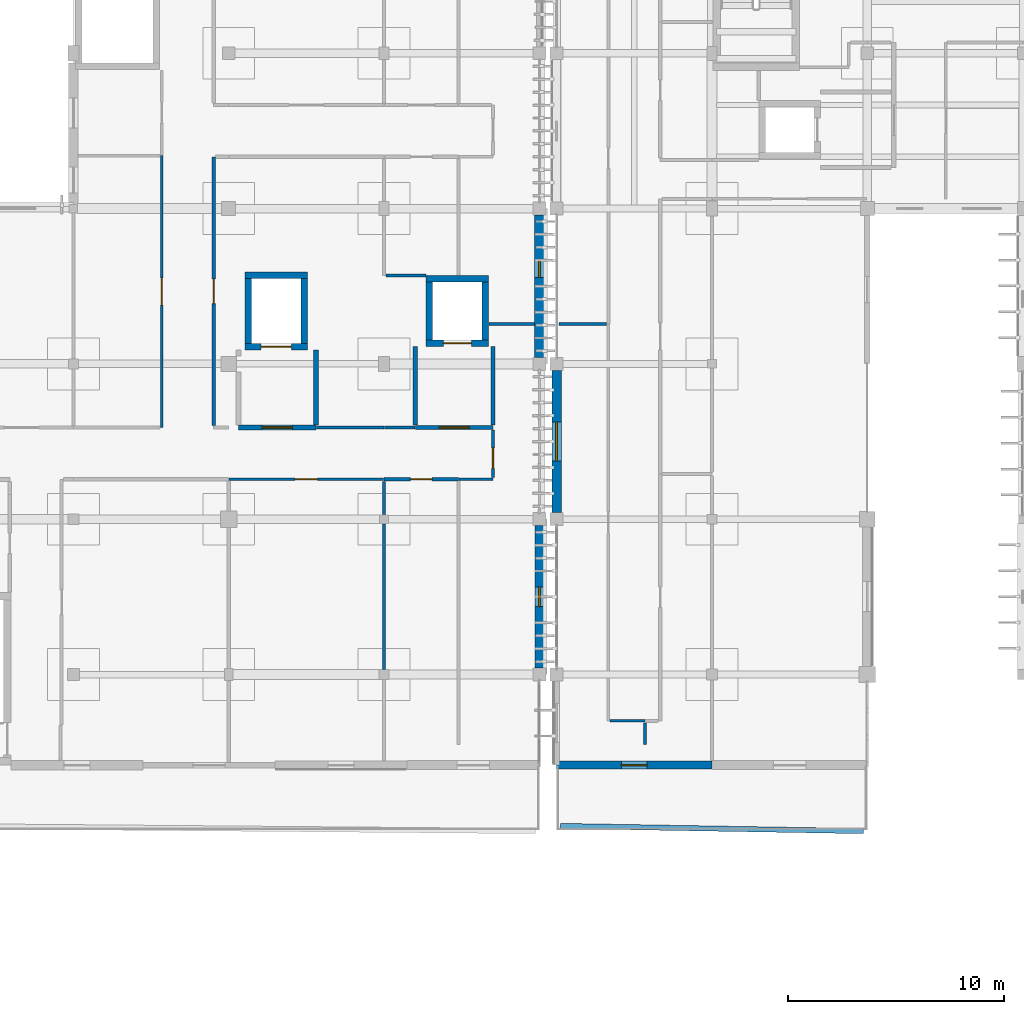
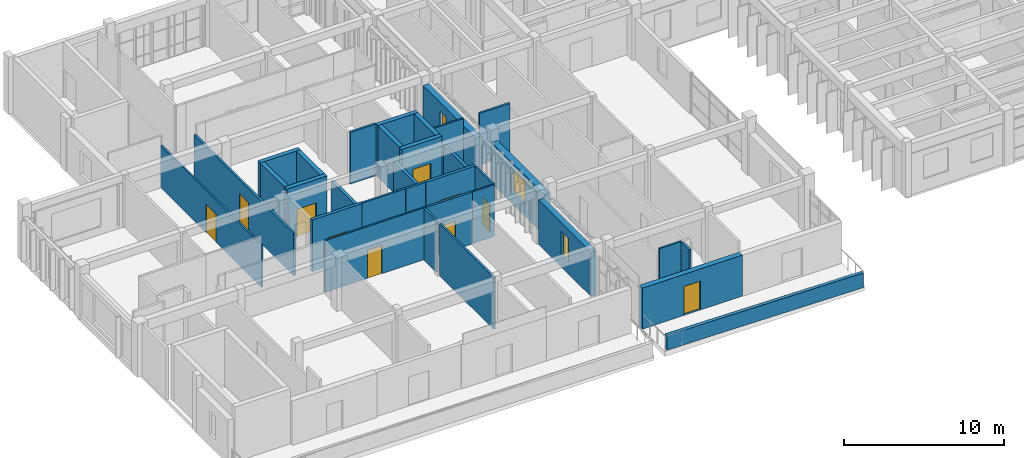
# One storey, part 33 of 55: 33 walls, 10 doors, 3 windows, 13 openings.
"""IFC4 building model written with IfcOpenShell, lengths in metres."""

from ifc_helpers import new_model, si_unit, direction, frame, frame_2d, origin, place, context, subcontext, project, spatial, rectangle, extrude, material, layer, layer_set, type_object, element, fill, save


model = new_model("IFC4")

# Units and contexts
model_context = context("Model", 3, precision=1e-05, world=origin(), true_north=direction((0.0, 1.0)))
body_context = subcontext(model_context, "Body", "Model", "MODEL_VIEW")
ifc_project = project(units=[si_unit("LENGTHUNIT", "METRE"), si_unit("AREAUNIT", "SQUARE_METRE"), si_unit("VOLUMEUNIT", "CUBIC_METRE"), si_unit("PLANEANGLEUNIT", "RADIAN"), si_unit("MASSUNIT", "GRAM", prefix="KILO")], contexts=[model_context])

# Site, building, storey
site_placement = place(None, origin())
site = spatial("IfcSite", under=ifc_project, at=site_placement, CompositionType="ELEMENT")
building_placement = place(site_placement, origin())
building = spatial("IfcBuilding", under=site, at=building_placement, Name="Steenspoor Specialist Clinic", CompositionType="ELEMENT")
storey_placement = place(building_placement, frame((0.0, 0.0, 13.199951171875)))
storey = spatial("IfcBuildingStorey", under=building, at=storey_placement, Name="L03", CompositionType="ELEMENT", Elevation=13.199951171875)

# Wall, opening, door
ifc_material_1 = material(Name="Extruded clay brick masonry", Category="masonry")
ifc_layer_1 = layer(ifc_material_1, 0.3798828125)
ifc_layer_set_1 = layer_set([ifc_layer_1], Name="Extruded clay brick masonry")
wall_type_1 = type_object("IfcWallType", Name="W-BRICK-380", PredefinedType="USERDEFINED", material=ifc_layer_set_1)
wall_1_placement = place(storey_placement, frame((59.60009765625, 68.14990234375, 0.0), z_axis=(0.0, 0.0, 1.0), x_axis=(-1.0, 0.0, 0.0)))
wall_1 = element("IfcWall", 1, at=wall_1_placement, inside=storey, type_object=wall_type_1, Name="Exterior Brick Wall EW-V4-L03-0191", ObjectType="CAVITY VENEER", PredefinedType="USERDEFINED", context=body_context, shape_type="SweptSolid", body=[
    extrude(rectangle(XDim=7.2001953125, YDim=0.3798828125, at=frame_2d((3.60009765625, 0.0))), origin(), (0.0, 0.0, 1.0), 3.130126953125),
])
opening_1_placement = place(wall_1_placement, frame((3.0, 0.0, 0.0)))
opening_1 = element("IfcOpeningElement", 2, at=opening_1_placement, cuts=wall_1, Name="Opening ED25", PredefinedType="OPENING", context=body_context, shape_type="SweptSolid", body=[
    extrude(rectangle(XDim=1.199951171875, YDim=2.199951171875, at=frame_2d((0.60009765625, 1.10009765625))), frame((0.0, 0.199951171875, 0.0), z_axis=(0.0, -1.0, 0.0), x_axis=(1.0, 0.0, 0.0)), (0.0, 0.0, 1.0), 0.39990234375),
])
ifc_material_2 = material(Name="Anodised aluminium and safety glass", Category="aluminium")
door_type_1 = type_object("IfcDoorType", Name="DT-TERR-120X220", OperationType="NOTDEFINED", PredefinedType="DOOR", material=ifc_material_2)
door_1_placement = place(opening_1_placement, origin())
door_1 = element("IfcDoor", 3, at=door_1_placement, inside=storey, type_object=door_type_1, Name="Roof Terrace Door ED25", OperationType="SINGLE_SWING_RIGHT", OverallHeight=2.199951171875, OverallWidth=1.199951171875, PredefinedType="DOOR", context=body_context, shape_type="SweptSolid", body=[
    extrude(rectangle(XDim=1.199951171875, YDim=2.199951171875, at=frame_2d((0.60009765625, 1.10009765625))), frame((0.0, 0.02490234375, 0.0), z_axis=(0.0, -1.0, 0.0), x_axis=(1.0, 0.0, 0.0)), (0.0, 0.0, 1.0), 0.050048828125),
])
fill(opening_1, door_1)

# Wall, opening, window
ifc_layer_2 = layer(ifc_material_1, 0.409912109375)
ifc_layer_set_2 = layer_set([ifc_layer_2], Name="Extruded clay brick masonry")
wall_type_2 = type_object("IfcWallType", Name="W-BRICK-410", PredefinedType="USERDEFINED", material=ifc_layer_set_2)
wall_2_placement = place(storey_placement, frame((51.60009765625, 79.25, 0.0), z_axis=(0.0, 0.0, 1.0), x_axis=(0.0, -1.0, 0.0)))
wall_2 = element("IfcWall", 4, at=wall_2_placement, inside=storey, type_object=wall_type_2, Name="Exterior Brick Wall EW-V5-L03-0290", ObjectType="CAVITY VENEER", PredefinedType="USERDEFINED", context=body_context, shape_type="SweptSolid", body=[
    extrude(rectangle(XDim=6.60009765625, YDim=0.409912109375, at=frame_2d((3.300048828125, 0.0))), origin(), (0.0, 0.0, 1.0), 3.380126953125),
])
opening_2_placement = place(wall_2_placement, frame((2.85009765625, 0.0, 0.89990234375)))
opening_2 = element("IfcOpeningElement", 5, at=opening_2_placement, cuts=wall_2, Name="Opening WN-03", PredefinedType="OPENING", context=body_context, shape_type="SweptSolid", body=[
    extrude(rectangle(XDim=0.89990234375, YDim=1.800048828125, at=frame_2d((0.449951171875, 0.89990234375))), frame((0.0, 0.21484375, 0.0), z_axis=(0.0, -1.0, 0.0), x_axis=(1.0, 0.0, 0.0)), (0.0, 0.0, 1.0), 0.429931640625),
])
ifc_material_3 = material(Name="Thermally broken aluminium and low-emissivity glass", Category="aluminium")
window_type_1 = type_object("IfcWindowType", Name="WN-EXT-090X180", PartitioningType="SINGLE_PANEL", PredefinedType="WINDOW", material=ifc_material_3)
window_1_placement = place(opening_2_placement, origin())
window_1 = element("IfcWindow", 6, at=window_1_placement, inside=storey, type_object=window_type_1, Name="Window 0312", OverallHeight=1.800048828125, OverallWidth=0.89990234375, PartitioningType="SINGLE_PANEL", PredefinedType="WINDOW", context=body_context, shape_type="SweptSolid", body=[
    extrude(rectangle(XDim=0.89990234375, YDim=1.800048828125, at=frame_2d((0.449951171875, 0.89990234375))), frame((0.0, 0.030029296875, 0.0), z_axis=(0.0, -1.0, 0.0), x_axis=(1.0, 0.0, 0.0)), (0.0, 0.0, 1.0), 0.06005859375),
])
fill(opening_2, window_1)

ifc_layer_3 = layer(ifc_material_1, 0.43994140625)
ifc_layer_set_3 = layer_set([ifc_layer_3], Name="Extruded clay brick masonry")
wall_type_3 = type_object("IfcWallType", Name="W-BRICK-440", PredefinedType="USERDEFINED", material=ifc_layer_set_3)
wall_3_placement = place(storey_placement, frame((52.39990234375, 79.85009765625, 0.0), z_axis=(0.0, 0.0, 1.0), x_axis=(0.0, 1.0, 0.0)))
wall_3 = element("IfcWall", 7, at=wall_3_placement, inside=storey, type_object=wall_type_3, Name="Exterior Brick Wall EW-V4-L03-0193", ObjectType="CAVITY VENEER", PredefinedType="USERDEFINED", context=body_context, shape_type="SweptSolid", body=[
    extrude(rectangle(XDim=6.599853515625, YDim=0.43994140625, at=frame_2d((3.2998046875, 0.0))), origin(), (0.0, 0.0, 1.0), 3.130126953125),
])
opening_3_placement = place(wall_3_placement, frame((2.39990234375, 0.0, 0.89990234375)))
opening_3 = element("IfcOpeningElement", 8, at=opening_3_placement, cuts=wall_3, Name="Opening WN-08", PredefinedType="OPENING", context=body_context, shape_type="SweptSolid", body=[
    extrude(rectangle(XDim=1.800048828125, YDim=1.800048828125, at=frame_2d((0.89990234375, 0.89990234375))), frame((0.0, 0.22998046875, 0.0), z_axis=(0.0, -1.0, 0.0), x_axis=(1.0, 0.0, 0.0)), (0.0, 0.0, 1.0), 0.4599609375),
])
window_type_2 = type_object("IfcWindowType", Name="WN-EXT-180X180", PartitioningType="SINGLE_PANEL", PredefinedType="WINDOW", material=ifc_material_3)
window_2_placement = place(opening_3_placement, origin())
window_2 = element("IfcWindow", 9, at=window_2_placement, inside=storey, type_object=window_type_2, Name="Window 0221", OverallHeight=1.800048828125, OverallWidth=1.800048828125, PartitioningType="SINGLE_PANEL", PredefinedType="WINDOW", context=body_context, shape_type="SweptSolid", body=[
    extrude(rectangle(XDim=1.800048828125, YDim=1.800048828125, at=frame_2d((0.89990234375, 0.89990234375))), frame((0.0, 0.030029296875, 0.0), z_axis=(0.0, -1.0, 0.0), x_axis=(1.0, 0.0, 0.0)), (0.0, 0.0, 1.0), 0.06005859375),
])
fill(opening_3, window_2)

wall_4_placement = place(storey_placement, frame((51.60009765625, 93.64990234375, 0.0), z_axis=(0.0, 0.0, 1.0), x_axis=(0.0, -1.0, 0.0)))
wall_4 = element("IfcWall", 10, at=wall_4_placement, inside=storey, type_object=wall_type_3, Name="Exterior Brick Wall EW-V5-L03-0289", ObjectType="CAVITY VENEER", PredefinedType="USERDEFINED", context=body_context, shape_type="SweptSolid", body=[
    extrude(rectangle(XDim=6.599853515625, YDim=0.43994140625, at=frame_2d((3.2998046875, 0.0))), origin(), (0.0, 0.0, 1.0), 3.380126953125),
])
opening_4_placement = place(wall_4_placement, frame((2.139892578125, 0.0, 0.89990234375)))
opening_4 = element("IfcOpeningElement", 11, at=opening_4_placement, cuts=wall_4, Name="Opening WN-02", PredefinedType="OPENING", context=body_context, shape_type="SweptSolid", body=[
    extrude(rectangle(XDim=0.75, YDim=1.800048828125, at=frame_2d((0.375, 0.89990234375))), frame((0.0, 0.22998046875, 0.0), z_axis=(0.0, -1.0, 0.0), x_axis=(1.0, 0.0, 0.0)), (0.0, 0.0, 1.0), 0.4599609375),
])
window_type_3 = type_object("IfcWindowType", Name="WN-EXT-075X180", PartitioningType="SINGLE_PANEL", PredefinedType="WINDOW", material=ifc_material_3)
window_3_placement = place(opening_4_placement, origin())
window_3 = element("IfcWindow", 12, at=window_3_placement, inside=storey, type_object=window_type_3, Name="Window 0311", OverallHeight=1.800048828125, OverallWidth=0.75, PartitioningType="SINGLE_PANEL", PredefinedType="WINDOW", context=body_context, shape_type="SweptSolid", body=[
    extrude(rectangle(XDim=0.75, YDim=1.800048828125, at=frame_2d((0.375, 0.89990234375))), frame((0.0, 0.030029296875, 0.0), z_axis=(0.0, -1.0, 0.0), x_axis=(1.0, 0.0, 0.0)), (0.0, 0.0, 1.0), 0.06005859375),
])
fill(opening_4, window_3)

# Wall, opening, door
ifc_material_4 = material(Name="Gypsum acoustic clinical partition", Category="gypsum")
ifc_layer_4 = layer(ifc_material_4, 0.14990234375)
ifc_layer_set_4 = layer_set([ifc_layer_4], Name="Gypsum acoustic clinical partition")
wall_type_4 = type_object("IfcWallType", Name="W-CLIN-150", PredefinedType="PARTITIONING", material=ifc_layer_set_4)
wall_5_placement = place(storey_placement, frame((44.39990234375, 81.39990234375, 0.0), z_axis=(0.0, 0.0, 1.0), x_axis=(1.0, 0.0, 0.0)))
wall_5 = element("IfcWall", 13, at=wall_5_placement, inside=storey, type_object=wall_type_4, Name="Interior Partition IW-V5-L03-1595", PredefinedType="PARTITIONING", context=body_context, shape_type="SweptSolid", body=[
    extrude(rectangle(XDim=3.4501953125, YDim=0.14990234375, at=frame_2d((1.72509765625, 0.0))), origin(), (0.0, 0.0, 1.0), 3.949951171875),
])
opening_5_placement = place(wall_5_placement, frame((1.22509765625, 0.0, 0.0)))
opening_5 = element("IfcOpeningElement", 14, at=opening_5_placement, cuts=wall_5, Name="Opening D0389", PredefinedType="OPENING", context=body_context, shape_type="SweptSolid", body=[
    extrude(rectangle(XDim=1.0, YDim=2.14990234375, at=frame_2d((0.5, 1.074951171875))), frame((0.0, 0.0849609375, 0.0), z_axis=(0.0, -1.0, 0.0), x_axis=(1.0, 0.0, 0.0)), (0.0, 0.0, 1.0), 0.169921875),
])
ifc_material_5 = material(Name="Moisture-resistant HPL accessible WC door", Category="wood")
door_type_2 = type_object("IfcDoorType", Name="DT-AWC-100X215", OperationType="NOTDEFINED", PredefinedType="DOOR", material=ifc_material_5)
door_2_placement = place(opening_5_placement, origin())
door_2 = element("IfcDoor", 15, at=door_2_placement, inside=storey, type_object=door_type_2, Name="Clinical Door D0389", OperationType="SINGLE_SWING_RIGHT", OverallHeight=2.14990234375, OverallWidth=1.0, PredefinedType="DOOR", context=body_context, shape_type="SweptSolid", body=[
    extrude(rectangle(XDim=1.0, YDim=2.14990234375, at=frame_2d((0.5, 1.074951171875))), frame((0.0, 0.02490234375, 0.0), z_axis=(0.0, -1.0, 0.0), x_axis=(1.0, 0.0, 0.0)), (0.0, 0.0, 1.0), 0.050048828125),
])
fill(opening_5, door_2)

# Wall
wall_6_placement = place(storey_placement, frame((41.264892578125, 83.800048828125, 0.0), z_axis=(0.0, 0.0, 1.0), x_axis=(1.0, 0.0, 0.0)))
element("IfcWall", 16, at=wall_6_placement, inside=storey, type_object=wall_type_4, Name="Interior Partition IW-V5-L03-1598", PredefinedType="PARTITIONING", context=body_context, shape_type="SweptSolid", body=[
    extrude(rectangle(XDim=3.135009765625, YDim=0.14990234375, at=frame_2d((1.5673828125, 0.0))), origin(), (0.0, 0.0, 1.0), 3.949951171875),
])

# Wall, opening, door
wall_7_placement = place(storey_placement, frame((36.5, 83.889892578125, 0.0), z_axis=(0.0, 0.0, 1.0), x_axis=(0.0, 1.0, 0.0)))
wall_7 = element("IfcWall", 17, at=wall_7_placement, inside=storey, type_object=wall_type_4, Name="Interior Partition IW-V5-L03-1600", PredefinedType="PARTITIONING", context=body_context, shape_type="SweptSolid", body=[
    extrude(rectangle(XDim=12.460205078125, YDim=0.14990234375, at=frame_2d((6.22998046875, 0.0))), origin(), (0.0, 0.0, 1.0), 3.219970703125),
])
opening_6_placement = place(wall_7_placement, frame((5.655029296875, 0.0, 0.0)))
opening_6 = element("IfcOpeningElement", 18, at=opening_6_placement, cuts=wall_7, Name="Opening D0393", PredefinedType="OPENING", context=body_context, shape_type="SweptSolid", body=[
    extrude(rectangle(XDim=1.14990234375, YDim=2.14990234375, at=frame_2d((0.574951171875, 1.074951171875))), frame((0.0, 0.0849609375, 0.0), z_axis=(0.0, -1.0, 0.0), x_axis=(1.0, 0.0, 0.0)), (0.0, 0.0, 1.0), 0.169921875),
])
ifc_material_6 = material(Name="Solid-core hardwood clinical door", Category="wood")
door_type_3 = type_object("IfcDoorType", Name="DT-CONS-115X215", OperationType="NOTDEFINED", PredefinedType="DOOR", material=ifc_material_6)
door_3_placement = place(opening_6_placement, origin())
door_3 = element("IfcDoor", 19, at=door_3_placement, inside=storey, type_object=door_type_3, Name="Clinical Door D0393", OperationType="SINGLE_SWING_RIGHT", OverallHeight=2.14990234375, OverallWidth=1.14990234375, PredefinedType="DOOR", context=body_context, shape_type="SweptSolid", body=[
    extrude(rectangle(XDim=1.14990234375, YDim=2.14990234375, at=frame_2d((0.574951171875, 1.074951171875))), frame((0.0, 0.02490234375, 0.0), z_axis=(0.0, -1.0, 0.0), x_axis=(1.0, 0.0, 0.0)), (0.0, 0.0, 1.0), 0.050048828125),
])
fill(opening_6, door_3)

# Walls
wall_8_placement = place(storey_placement, frame((44.4150390625, 83.800048828125, 0.0), z_axis=(0.0, 0.0, 1.0), x_axis=(1.0, 0.0, 0.0)))
element("IfcWall", 20, at=wall_8_placement, inside=storey, type_object=wall_type_4, Name="Interior Partition IW-V5-L03-1603", PredefinedType="PARTITIONING", context=body_context, shape_type="SweptSolid", body=[
    extrude(rectangle(XDim=1.419921875, YDim=0.14990234375, at=frame_2d((0.7099609375, 0.0))), origin(), (0.0, 0.0, 1.0), 3.949951171875),
])
wall_9_placement = place(storey_placement, frame((56.5, 69.110107421875, 0.0), z_axis=(0.0, 0.0, 1.0), x_axis=(0.0, 1.0, 0.0)))
element("IfcWall", 21, at=wall_9_placement, inside=storey, type_object=wall_type_4, Name="Interior Partition IW-V4-L03-1720", PredefinedType="PARTITIONING", context=body_context, shape_type="SweptSolid", body=[
    extrude(rectangle(XDim=1.0, YDim=0.14990234375, at=frame_2d((0.5, 0.0))), origin(), (0.0, 0.0, 1.0), 3.949951171875),
])
wall_10_placement = place(storey_placement, frame((52.5048828125, 88.60009765625, 0.0), z_axis=(0.0, 0.0, 1.0), x_axis=(1.0, 0.0, 0.0)))
element("IfcWall", 22, at=wall_10_placement, inside=storey, type_object=wall_type_4, Name="Interior Partition IW-V4-L03-1721", PredefinedType="PARTITIONING", context=body_context, shape_type="SweptSolid", body=[
    extrude(rectangle(XDim=2.205078125, YDim=0.14990234375, at=frame_2d((1.1025390625, 0.0))), origin(), (0.0, 0.0, 1.0), 3.949951171875),
])
wall_11_placement = place(storey_placement, frame((44.39990234375, 72.590087890625, 0.0), z_axis=(0.0, 0.0, 1.0), x_axis=(0.0, 1.0, 0.0)))
element("IfcWall", 23, at=wall_11_placement, inside=storey, type_object=wall_type_4, Name="Interior Partition IW-V5-L03-1743", PredefinedType="PARTITIONING", context=body_context, shape_type="SweptSolid", body=[
    extrude(rectangle(XDim=6.744873046875, YDim=0.14990234375, at=frame_2d((3.37255859375, 0.0))), origin(), (0.0, 0.0, 1.0), 3.949951171875),
])
wall_12_placement = place(storey_placement, frame((44.39990234375, 79.764892578125, 0.0), z_axis=(0.0, 0.0, 1.0), x_axis=(0.0, 1.0, 0.0)))
element("IfcWall", 24, at=wall_12_placement, inside=storey, type_object=wall_type_4, Name="Interior Partition IW-V5-L03-1744", PredefinedType="PARTITIONING", context=body_context, shape_type="SweptSolid", body=[
    extrude(rectangle(XDim=1.545166015625, YDim=0.14990234375, at=frame_2d((0.7724609375, 0.0))), origin(), (0.0, 0.0, 1.0), 3.949951171875),
])
wall_13_placement = place(storey_placement, frame((44.489990234375, 90.85009765625, 0.0), z_axis=(0.0, 0.0, 1.0), x_axis=(1.0, 0.0, 0.0)))
element("IfcWall", 25, at=wall_13_placement, inside=storey, type_object=wall_type_4, Name="Interior Partition IW-V5-L03-1750", PredefinedType="PARTITIONING", context=body_context, shape_type="SweptSolid", body=[
    extrude(rectangle(XDim=1.844970703125, YDim=0.14990234375, at=frame_2d((0.92236328125, 0.0))), origin(), (0.0, 0.0, 1.0), 3.949951171875),
])

# Wall, opening, door
ifc_material_7 = material(Name="Fire-rated clay blockwork masonry", Category="masonry")
ifc_layer_5 = layer(ifc_material_7, 0.219970703125)
ifc_layer_set_5 = layer_set([ifc_layer_5], Name="Fire-rated clay blockwork masonry")
wall_type_5 = type_object("IfcWallType", Name="W-FIRE-220", PredefinedType="PARTITIONING", material=ifc_layer_set_5)
wall_14_placement = place(storey_placement, frame((37.64990234375, 83.800048828125, 0.0), z_axis=(0.0, 0.0, 1.0), x_axis=(1.0, 0.0, 0.0)))
wall_14 = element("IfcWall", 26, at=wall_14_placement, inside=storey, type_object=wall_type_5, Name="Interior Partition IW-V5-L03-1515", PredefinedType="PARTITIONING", context=body_context, shape_type="SweptSolid", body=[
    extrude(rectangle(XDim=3.60009765625, YDim=0.219970703125, at=frame_2d((1.800048828125, 0.0))), origin(), (0.0, 0.0, 1.0), 3.949951171875),
])
opening_7_placement = place(wall_14_placement, frame((1.10009765625, 0.0, 0.0)))
opening_7 = element("IfcOpeningElement", 27, at=opening_7_placement, cuts=wall_14, Name="Opening D0384", PredefinedType="OPENING", context=body_context, shape_type="SweptSolid", body=[
    extrude(rectangle(XDim=1.39990234375, YDim=2.199951171875, at=frame_2d((0.699951171875, 1.10009765625))), frame((0.0, 0.1201171875, 0.0), z_axis=(0.0, -1.0, 0.0), x_axis=(1.0, 0.0, 0.0)), (0.0, 0.0, 1.0), 0.239990234375),
])
ifc_material_8 = material(Name="Fire-rated clinical laminate door", Category="steel")
door_type_4 = type_object("IfcDoorType", Name="DT-LAB-140X220", OperationType="NOTDEFINED", PredefinedType="DOOR", material=ifc_material_8)
door_4_placement = place(opening_7_placement, origin())
door_4 = element("IfcDoor", 28, at=door_4_placement, inside=storey, type_object=door_type_4, Name="Lift Lobby Fire Door D0384", OperationType="SINGLE_SWING_LEFT", OverallHeight=2.199951171875, OverallWidth=1.39990234375, PredefinedType="DOOR", context=body_context, shape_type="SweptSolid", body=[
    extrude(rectangle(XDim=1.39990234375, YDim=2.199951171875, at=frame_2d((0.699951171875, 1.10009765625))), frame((0.0, 0.02490234375, 0.0), z_axis=(0.0, -1.0, 0.0), x_axis=(1.0, 0.0, 0.0)), (0.0, 0.0, 1.0), 0.050048828125),
])
fill(opening_7, door_4)

# Walls
wall_15_placement = place(storey_placement, frame((41.25, 83.925048828125, 0.0), z_axis=(0.0, 0.0, 1.0), x_axis=(0.0, 1.0, 0.0)))
element("IfcWall", 29, at=wall_15_placement, inside=storey, type_object=wall_type_5, Name="Interior Partition IW-V5-L03-1525", PredefinedType="PARTITIONING", context=body_context, shape_type="SweptSolid", body=[
    extrude(rectangle(XDim=3.474853515625, YDim=0.219970703125, at=frame_2d((1.7373046875, 0.0))), origin(), (0.0, 0.0, 1.0), 3.469970703125),
])
ifc_layer_6 = layer(ifc_material_1, 0.239990234375)
ifc_layer_set_6 = layer_set([ifc_layer_6], Name="Extruded clay brick masonry")
wall_type_6 = type_object("IfcWallType", Name="W-PARAPET-240", PredefinedType="PARAPET", material=ifc_layer_set_6)
wall_16_placement = place(storey_placement, frame((52.580078125, 65.330078125, 0.0), z_axis=(0.0, 0.0, 1.0), x_axis=(0.999853941998, -0.01709077737, 0.0)))
element("IfcWall", 30, at=wall_16_placement, inside=storey, type_object=wall_type_6, Name="Terrace Brick Parapet V4 L03 1", PredefinedType="PARAPET", context=body_context, shape_type="SweptSolid", body=[
    extrude(rectangle(XDim=14.0419921875, YDim=0.239990234375, at=frame_2d((7.02099609375, 0.0))), origin(), (0.0, 0.0, 1.0), 1.1201171875),
])
ifc_material_9 = material(Name="Gypsum studio partition board", Category="gypsum")
ifc_layer_7 = layer(ifc_material_9, 0.1201171875)
ifc_layer_set_7 = layer_set([ifc_layer_7], Name="Gypsum studio partition board")
wall_type_7 = type_object("IfcWallType", Name="W-PART-120", PredefinedType="PARTITIONING", material=ifc_layer_set_7)
wall_17_placement = place(storey_placement, frame((54.875, 70.199951171875, 0.0), z_axis=(0.0, 0.0, 1.0), x_axis=(1.0, 0.0, 0.0)))
element("IfcWall", 31, at=wall_17_placement, inside=storey, type_object=wall_type_7, Name="Interior Partition IW-V4-L03-1634", PredefinedType="PARTITIONING", context=body_context, shape_type="SweptSolid", body=[
    extrude(rectangle(XDim=1.610107421875, YDim=0.1201171875, at=frame_2d((0.80517578125, 0.0))), origin(), (0.0, 0.0, 1.0), 3.949951171875),
])

# Wall, opening, door
wall_18_placement = place(storey_placement, frame((37.215087890625, 81.39990234375, 0.0), z_axis=(0.0, 0.0, 1.0), x_axis=(1.0, 0.0, 0.0)))
wall_18 = element("IfcWall", 32, at=wall_18_placement, inside=storey, type_object=wall_type_7, Name="Interior Partition IW-V5-L03-1670", PredefinedType="PARTITIONING", context=body_context, shape_type="SweptSolid", body=[
    extrude(rectangle(XDim=7.169921875, YDim=0.1201171875, at=frame_2d((3.5849609375, 0.0))), origin(), (0.0, 0.0, 1.0), 3.949951171875),
])
opening_8_placement = place(wall_18_placement, frame((3.06005859375, 0.0, 0.0)))
opening_8 = element("IfcOpeningElement", 33, at=opening_8_placement, cuts=wall_18, Name="Opening D0388", PredefinedType="OPENING", context=body_context, shape_type="SweptSolid", body=[
    extrude(rectangle(XDim=1.050048828125, YDim=2.14990234375, at=frame_2d((0.52490234375, 1.074951171875))), frame((0.0, 0.070068359375, 0.0), z_axis=(0.0, -1.0, 0.0), x_axis=(1.0, 0.0, 0.0)), (0.0, 0.0, 1.0), 0.14013671875),
])
ifc_material_10 = material(Name="Solid-core hardwood office door", Category="wood")
door_type_5 = type_object("IfcDoorType", Name="DT-OFF-105X215", OperationType="NOTDEFINED", PredefinedType="DOOR", material=ifc_material_10)
door_5_placement = place(opening_8_placement, origin())
door_5 = element("IfcDoor", 34, at=door_5_placement, inside=storey, type_object=door_type_5, Name="Clinical Door D0388", OperationType="SINGLE_SWING_LEFT", OverallHeight=2.14990234375, OverallWidth=1.050048828125, PredefinedType="DOOR", context=body_context, shape_type="SweptSolid", body=[
    extrude(rectangle(XDim=1.050048828125, YDim=2.14990234375, at=frame_2d((0.52490234375, 1.074951171875))), frame((0.0, 0.02490234375, 0.0), z_axis=(0.0, -1.0, 0.0), x_axis=(1.0, 0.0, 0.0)), (0.0, 0.0, 1.0), 0.050048828125),
])
fill(opening_8, door_5)

# Wall
wall_19_placement = place(storey_placement, frame((47.864990234375, 81.39990234375, 0.0), z_axis=(0.0, 0.0, 1.0), x_axis=(1.0, 0.0, 0.0)))
element("IfcWall", 35, at=wall_19_placement, inside=storey, type_object=wall_type_7, Name="Interior Partition IW-V5-L03-1671", PredefinedType="PARTITIONING", context=body_context, shape_type="SweptSolid", body=[
    extrude(rectangle(XDim=1.5849609375, YDim=0.1201171875, at=frame_2d((0.79248046875, 0.0))), origin(), (0.0, 0.0, 1.0), 3.949951171875),
])

# Wall, opening, door
wall_20_placement = place(storey_placement, frame((49.449951171875, 81.47509765625, 0.0), z_axis=(0.0, 0.0, 1.0), x_axis=(0.0, 1.0, 0.0)))
wall_20 = element("IfcWall", 36, at=wall_20_placement, inside=storey, type_object=wall_type_7, Name="Interior Partition IW-V5-L03-1672", PredefinedType="PARTITIONING", context=body_context, shape_type="SweptSolid", body=[
    extrude(rectangle(XDim=2.2099609375, YDim=0.1201171875, at=frame_2d((1.10498046875, 0.0))), origin(), (0.0, 0.0, 1.0), 3.949951171875),
])
opening_9_placement = place(wall_20_placement, frame((0.428466796875, 0.0, 0.0)))
opening_9 = element("IfcOpeningElement", 37, at=opening_9_placement, cuts=wall_20, Name="Opening D0390", PredefinedType="OPENING", context=body_context, shape_type="SweptSolid", body=[
    extrude(rectangle(XDim=0.949951171875, YDim=2.10009765625, at=frame_2d((0.47509765625, 1.050048828125))), frame((0.0, 0.070068359375, 0.0), z_axis=(0.0, -1.0, 0.0), x_axis=(1.0, 0.0, 0.0)), (0.0, 0.0, 1.0), 0.14013671875),
])
ifc_material_11 = material(Name="Moisture-resistant HPL sanitary door", Category="wood")
door_type_6 = type_object("IfcDoorType", Name="DT-WC-095X210", OperationType="NOTDEFINED", PredefinedType="DOOR", material=ifc_material_11)
door_6_placement = place(opening_9_placement, origin())
door_6 = element("IfcDoor", 38, at=door_6_placement, inside=storey, type_object=door_type_6, Name="Clinical Door D0390", OperationType="SINGLE_SWING_LEFT", OverallHeight=2.10009765625, OverallWidth=0.949951171875, PredefinedType="DOOR", context=body_context, shape_type="SweptSolid", body=[
    extrude(rectangle(XDim=0.949951171875, YDim=2.10009765625, at=frame_2d((0.47509765625, 1.050048828125))), frame((0.0, 0.02490234375, 0.0), z_axis=(0.0, -1.0, 0.0), x_axis=(1.0, 0.0, 0.0)), (0.0, 0.0, 1.0), 0.050048828125),
])
fill(opening_9, door_6)

wall_21_placement = place(storey_placement, frame((34.10009765625, 83.800048828125, 0.0), z_axis=(0.0, 0.0, 1.0), x_axis=(0.0, 1.0, 0.0)))
wall_21 = element("IfcWall", 39, at=wall_21_placement, inside=storey, type_object=wall_type_7, Name="Interior Partition IW-V5-L03-1673", PredefinedType="PARTITIONING", context=body_context, shape_type="SweptSolid", body=[
    extrude(rectangle(XDim=12.60498046875, YDim=0.1201171875, at=frame_2d((6.302490234375, 0.0))), origin(), (0.0, 0.0, 1.0), 3.219970703125),
])
opening_10_placement = place(wall_21_placement, frame((5.677490234375, 0.0, 0.0)))
opening_10 = element("IfcOpeningElement", 40, at=opening_10_placement, cuts=wall_21, Name="Opening D0392", PredefinedType="OPENING", context=body_context, shape_type="SweptSolid", body=[
    extrude(rectangle(XDim=1.25, YDim=2.14990234375, at=frame_2d((0.625, 1.074951171875))), frame((0.0, 0.070068359375, 0.0), z_axis=(0.0, -1.0, 0.0), x_axis=(1.0, 0.0, 0.0)), (0.0, 0.0, 1.0), 0.14013671875),
])
ifc_material_12 = material(Name="Hygienic HPL clinical timber door", Category="wood")
door_type_7 = type_object("IfcDoorType", Name="DT-EXAM-125X215", OperationType="NOTDEFINED", PredefinedType="DOOR", material=ifc_material_12)
door_7_placement = place(opening_10_placement, origin())
door_7 = element("IfcDoor", 41, at=door_7_placement, inside=storey, type_object=door_type_7, Name="Clinical Door D0392", OperationType="SINGLE_SWING_LEFT", OverallHeight=2.14990234375, OverallWidth=1.25, PredefinedType="DOOR", context=body_context, shape_type="SweptSolid", body=[
    extrude(rectangle(XDim=1.25, YDim=2.14990234375, at=frame_2d((0.625, 1.074951171875))), frame((0.0, 0.02490234375, 0.0), z_axis=(0.0, -1.0, 0.0), x_axis=(1.0, 0.0, 0.0)), (0.0, 0.0, 1.0), 0.050048828125),
])
fill(opening_10, door_7)

# Wall
wall_22_placement = place(storey_placement, frame((49.264892578125, 88.60009765625, 0.0), z_axis=(0.0, 0.0, 1.0), x_axis=(1.0, 0.0, 0.0)))
element("IfcWall", 42, at=wall_22_placement, inside=storey, type_object=wall_type_7, Name="Interior Partition IW-V5-L03-1779", PredefinedType="PARTITIONING", context=body_context, shape_type="SweptSolid", body=[
    extrude(rectangle(XDim=2.10009765625, YDim=0.1201171875, at=frame_2d((1.050048828125, 0.0))), origin(), (0.0, 0.0, 1.0), 3.949951171875),
])

# Wall, opening, door
ifc_material_13 = material(Name="Gypsum acoustic smoke barrier board", Category="gypsum")
ifc_layer_8 = layer(ifc_material_13, 0.199951171875)
ifc_layer_set_8 = layer_set([ifc_layer_8], Name="Gypsum acoustic smoke barrier board")
wall_type_8 = type_object("IfcWallType", Name="W-SMOKE-200", PredefinedType="PARTITIONING", material=ifc_layer_set_8)
wall_23_placement = place(storey_placement, frame((45.85009765625, 83.800048828125, 0.0), z_axis=(0.0, 0.0, 1.0), x_axis=(1.0, 0.0, 0.0)))
wall_23 = element("IfcWall", 43, at=wall_23_placement, inside=storey, type_object=wall_type_8, Name="Interior Partition IW-V5-L03-1519", PredefinedType="PARTITIONING", context=body_context, shape_type="SweptSolid", body=[
    extrude(rectangle(XDim=3.599853515625, YDim=0.199951171875, at=frame_2d((1.7998046875, 0.0))), origin(), (0.0, 0.0, 1.0), 3.949951171875),
])
opening_11_placement = place(wall_23_placement, frame((1.10009765625, 0.0, 0.0)))
opening_11 = element("IfcOpeningElement", 44, at=opening_11_placement, cuts=wall_23, Name="Opening D0385", PredefinedType="OPENING", context=body_context, shape_type="SweptSolid", body=[
    extrude(rectangle(XDim=1.39990234375, YDim=2.199951171875, at=frame_2d((0.699951171875, 1.10009765625))), frame((0.0, 0.10986328125, 0.0), z_axis=(0.0, -1.0, 0.0), x_axis=(1.0, 0.0, 0.0)), (0.0, 0.0, 1.0), 0.219970703125),
])
door_8_placement = place(opening_11_placement, origin())
door_8 = element("IfcDoor", 45, at=door_8_placement, inside=storey, type_object=door_type_4, Name="Lift Lobby Fire Door D0385", OperationType="SINGLE_SWING_RIGHT", OverallHeight=2.199951171875, OverallWidth=1.39990234375, PredefinedType="DOOR", context=body_context, shape_type="SweptSolid", body=[
    extrude(rectangle(XDim=1.39990234375, YDim=2.199951171875, at=frame_2d((0.699951171875, 1.10009765625))), frame((0.0, 0.02490234375, 0.0), z_axis=(0.0, -1.0, 0.0), x_axis=(1.0, 0.0, 0.0)), (0.0, 0.0, 1.0), 0.050048828125),
])
fill(opening_11, door_8)

# Walls
for number, where, z_axis, x_axis, name in (
    (46, (49.449951171875, 83.9150390625, 0.0), (0.0, 0.0, 1.0), (0.0, 1.0, 0.0), "Interior Partition IW-V5-L03-1531"),
    (47, (45.85009765625, 83.9150390625, 0.0), (0.0, 0.0, 1.0), (0.0, 1.0, 0.0), "Interior Partition IW-V5-L03-1532"),
):
    element("IfcWall", number, at=place(storey_placement, frame(where, z_axis=z_axis, x_axis=x_axis)), inside=storey, type_object=wall_type_8, Name=name, PredefinedType="PARTITIONING", context=body_context, shape_type="SweptSolid", body=[
        extrude(rectangle(XDim=3.635009765625, YDim=0.199951171875, at=frame_2d((1.8173828125, 0.0))), origin(), (0.0, 0.0, 1.0), 3.219970703125),
    ])

# Wall, opening, door
ifc_material_14 = material(Name="Concrete C40/50", Category="concrete")
ifc_layer_9 = layer(ifc_material_14, 0.300048828125)
ifc_layer_set_9 = layer_set([ifc_layer_9], Name="Concrete C40/50")
wall_type_9 = type_object("IfcWallType", Name="W-SW-300", PredefinedType="SHEAR", material=ifc_layer_set_9)
wall_24_placement = place(storey_placement, frame((37.949951171875, 87.550048828125, 0.0), z_axis=(0.0, 0.0, 1.0), x_axis=(1.0, 0.0, 0.0)))
wall_24 = element("IfcWall", 48, at=wall_24_placement, inside=storey, type_object=wall_type_9, Name="Lift Shaft Shear Wall SW-EL-S2-L03-S", PredefinedType="SHEAR", context=body_context, shape_type="SweptSolid", body=[
    extrude(rectangle(XDim=2.900146484375, YDim=0.300048828125, at=frame_2d((1.4501953125, 0.0))), origin(), (0.0, 0.0, 1.0), 3.949951171875),
])
opening_12_placement = place(wall_24_placement, frame((0.75, 0.0, 0.0)))
opening_12 = element("IfcOpeningElement", 49, at=opening_12_placement, cuts=wall_24, Name="Opening LD10", PredefinedType="OPENING", context=body_context, shape_type="SweptSolid", body=[
    extrude(rectangle(XDim=1.39990234375, YDim=2.14990234375, at=frame_2d((0.699951171875, 1.074951171875))), frame((0.0, 0.16015625, 0.0), z_axis=(0.0, -1.0, 0.0), x_axis=(1.0, 0.0, 0.0)), (0.0, 0.0, 1.0), 0.320068359375),
])
ifc_material_15 = material(Name="Stainless steel lift landing door", Category="steel")
door_type_8 = type_object("IfcDoorType", Name="DT-LIFT-S-140", OperationType="NOTDEFINED", PredefinedType="DOOR", material=ifc_material_15)
door_9_placement = place(opening_12_placement, origin())
door_9 = element("IfcDoor", 50, at=door_9_placement, inside=storey, type_object=door_type_8, Name="Lift Landing Door LD10", OperationType="SLIDING_TO_LEFT", OverallHeight=2.14990234375, OverallWidth=1.39990234375, PredefinedType="DOOR", context=body_context, shape_type="SweptSolid", body=[
    extrude(rectangle(XDim=1.39990234375, YDim=2.14990234375, at=frame_2d((0.699951171875, 1.074951171875))), frame((0.0, 0.02490234375, 0.0), z_axis=(0.0, -1.0, 0.0), x_axis=(1.0, 0.0, 0.0)), (0.0, 0.0, 1.0), 0.050048828125),
])
fill(opening_12, door_9)

# Walls
wall_25_placement = place(storey_placement, frame((37.949951171875, 90.85009765625, 0.0), z_axis=(0.0, 0.0, 1.0), x_axis=(1.0, 0.0, 0.0)))
element("IfcWall", 51, at=wall_25_placement, inside=storey, type_object=wall_type_9, Name="Lift Shaft Shear Wall SW-EL-S2-L03-N", PredefinedType="SHEAR", context=body_context, shape_type="SweptSolid", body=[
    extrude(rectangle(XDim=2.900146484375, YDim=0.300048828125, at=frame_2d((1.4501953125, 0.0))), origin(), (0.0, 0.0, 1.0), 3.949951171875),
])
for number, where, z_axis, x_axis, name in (
    (52, (38.10009765625, 87.699951171875, 0.0), (0.0, 0.0, 1.0), (0.0, 1.0, 0.0), "Lift Shaft Shear Wall SW-EL-S2-L03-W"),
    (53, (40.699951171875, 87.699951171875, 0.0), (0.0, 0.0, 1.0), (0.0, 1.0, 0.0), "Lift Shaft Shear Wall SW-EL-S2-L03-E"),
):
    element("IfcWall", number, at=place(storey_placement, frame(where, z_axis=z_axis, x_axis=x_axis)), inside=storey, type_object=wall_type_9, Name=name, PredefinedType="SHEAR", context=body_context, shape_type="SweptSolid", body=[
        extrude(rectangle(XDim=3.0, YDim=0.300048828125, at=frame_2d((1.5, 0.0))), origin(), (0.0, 0.0, 1.0), 3.949951171875),
    ])

# Wall, opening, door
wall_26_placement = place(storey_placement, frame((46.35009765625, 87.699951171875, 0.0), z_axis=(0.0, 0.0, 1.0), x_axis=(1.0, 0.0, 0.0)))
wall_26 = element("IfcWall", 54, at=wall_26_placement, inside=storey, type_object=wall_type_9, Name="Lift Shaft Shear Wall SW-EL-G1-L03-S", PredefinedType="SHEAR", context=body_context, shape_type="SweptSolid", body=[
    extrude(rectangle(XDim=2.89990234375, YDim=0.300048828125, at=frame_2d((1.449951171875, 0.0))), origin(), (0.0, 0.0, 1.0), 3.949951171875),
])
opening_13_placement = place(wall_26_placement, frame((0.800048828125, 0.0, 0.0)))
opening_13 = element("IfcOpeningElement", 55, at=opening_13_placement, cuts=wall_26, Name="Opening LD32", PredefinedType="OPENING", context=body_context, shape_type="SweptSolid", body=[
    extrude(rectangle(XDim=1.300048828125, YDim=2.14990234375, at=frame_2d((0.64990234375, 1.074951171875))), frame((0.0, 0.16015625, 0.0), z_axis=(0.0, -1.0, 0.0), x_axis=(1.0, 0.0, 0.0)), (0.0, 0.0, 1.0), 0.320068359375),
])
door_type_9 = type_object("IfcDoorType", Name="DT-LIFT-G-130", OperationType="NOTDEFINED", PredefinedType="DOOR", material=ifc_material_15)
door_10_placement = place(opening_13_placement, origin())
door_10 = element("IfcDoor", 56, at=door_10_placement, inside=storey, type_object=door_type_9, Name="Lift Landing Door LD32", OperationType="SLIDING_TO_LEFT", OverallHeight=2.14990234375, OverallWidth=1.300048828125, PredefinedType="DOOR", context=body_context, shape_type="SweptSolid", body=[
    extrude(rectangle(XDim=1.300048828125, YDim=2.14990234375, at=frame_2d((0.64990234375, 1.074951171875))), frame((0.0, 0.02490234375, 0.0), z_axis=(0.0, -1.0, 0.0), x_axis=(1.0, 0.0, 0.0)), (0.0, 0.0, 1.0), 0.050048828125),
])
fill(opening_13, door_10)

# Walls
wall_27_placement = place(storey_placement, frame((46.35009765625, 90.699951171875, 0.0), z_axis=(0.0, 0.0, 1.0), x_axis=(1.0, 0.0, 0.0)))
element("IfcWall", 57, at=wall_27_placement, inside=storey, type_object=wall_type_9, Name="Lift Shaft Shear Wall SW-EL-G1-L03-N", PredefinedType="SHEAR", context=body_context, shape_type="SweptSolid", body=[
    extrude(rectangle(XDim=2.89990234375, YDim=0.300048828125, at=frame_2d((1.449951171875, 0.0))), origin(), (0.0, 0.0, 1.0), 3.949951171875),
])
for number, where, z_axis, x_axis, name in (
    (58, (46.5, 87.85009765625, 0.0), (0.0, 0.0, 1.0), (0.0, 1.0, 0.0), "Lift Shaft Shear Wall SW-EL-G1-L03-W"),
    (59, (49.10009765625, 87.85009765625, 0.0), (0.0, 0.0, 1.0), (0.0, 1.0, 0.0), "Lift Shaft Shear Wall SW-EL-G1-L03-E"),
):
    element("IfcWall", number, at=place(storey_placement, frame(where, z_axis=z_axis, x_axis=x_axis)), inside=storey, type_object=wall_type_9, Name=name, PredefinedType="SHEAR", context=body_context, shape_type="SweptSolid", body=[
        extrude(rectangle(XDim=2.699951171875, YDim=0.300048828125, at=frame_2d((1.35009765625, 0.0))), origin(), (0.0, 0.0, 1.0), 3.949951171875),
    ])

save(model, "model.ifc")
